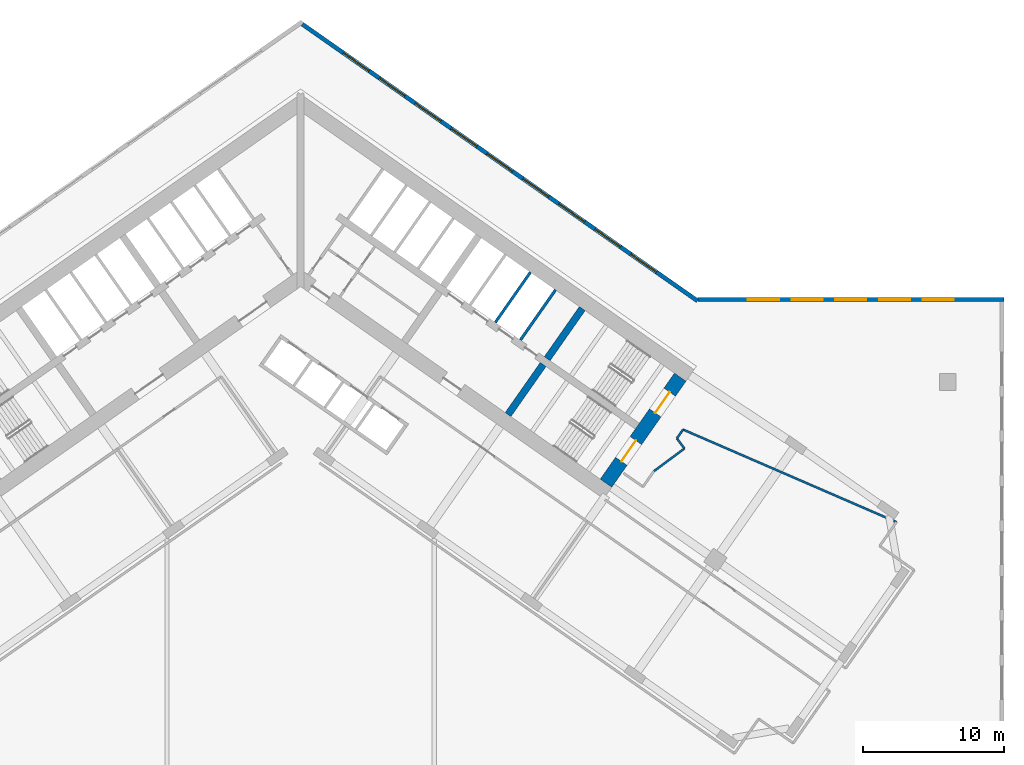
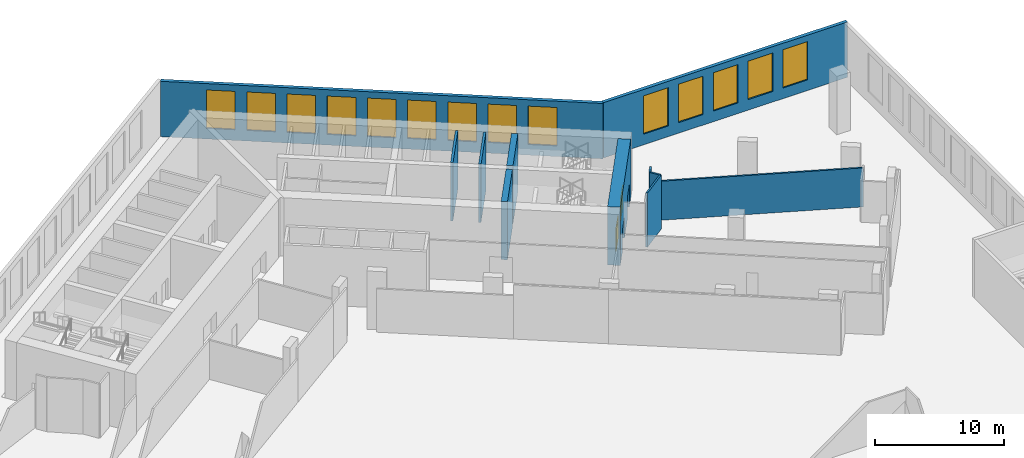
# One storey, part 12 of 26: 14 windows, 11 walls, 2 doors, 16 openings.
"""IFC4 building model written with IfcOpenShell, lengths in metres."""

from ifc_helpers import new_model, si_unit, direction, frame, frame_2d, origin, place, context, subcontext, project, spatial, polyline, rectangle, outline, extrude, material, layer, layer_set, type_object, element, fill, save


model = new_model("IFC4")

# Units and contexts
model_context = context("Model", 3, precision=1e-05, world=origin(), true_north=direction((0.0, 1.0)))
body_context = subcontext(model_context, "Body", "Model", "MODEL_VIEW")
ifc_project = project(units=[si_unit("LENGTHUNIT", "METRE"), si_unit("AREAUNIT", "SQUARE_METRE"), si_unit("VOLUMEUNIT", "CUBIC_METRE"), si_unit("PLANEANGLEUNIT", "RADIAN"), si_unit("MASSUNIT", "GRAM", prefix="KILO")], contexts=[model_context])

# Site, building, storey
site_placement = place(None, origin())
site = spatial("IfcSite", under=ifc_project, at=site_placement, CompositionType="ELEMENT")
building_placement = place(site_placement, origin())
building = spatial("IfcBuilding", under=site, at=building_placement, Name="Tel Ilan Convention Tower", CompositionType="ELEMENT")
storey_placement = place(building_placement, frame((0.0, 0.0, 32.0)))
storey = spatial("IfcBuildingStorey", under=building, at=storey_placement, Name="L04", CompositionType="ELEMENT", Elevation=32.0)

# Wall, openings, doors
ifc_material_1 = material(Name="Concrete C60/75", Category="concrete")
ifc_layer_1 = layer(ifc_material_1, 1.0)
ifc_layer_set_1 = layer_set([ifc_layer_1], Name="Core Shear Wall 1000 mm C60/75")
wall_type_1 = type_object("IfcWallType", Name="Core Shear Wall 1000 mm C60/75", PredefinedType="SHEAR", material=ifc_layer_set_1)
wall_1_placement = place(storey_placement, frame((21.70751953125, -15.19970703125, 0.0), z_axis=(0.0, 0.0, 1.0), x_axis=(0.573576324356, 0.819152122709, 0.0)))
wall_1 = element("IfcWall", 1, at=wall_1_placement, inside=storey, type_object=wall_type_1, Name="L04 core wall E-end", PredefinedType="SHEAR", context=body_context, shape_type="SweptSolid", body=[
    extrude(outline(polyline([(9.199951171875, 0.5), (0.0, 0.5), (0.0, -0.5), (9.199951171875, -0.5), (9.199951171875, 0.5)])), origin(), (0.0, 0.0, 1.0), 5.5),
])
opening_1_placement = place(wall_1_placement, frame((6.10009765625, 0.0, 0.0)))
opening_1 = element("IfcOpeningElement", 2, at=opening_1_placement, cuts=wall_1, Name="Opening SD0703", PredefinedType="OPENING", context=body_context, shape_type="SweptSolid", body=[
    extrude(rectangle(XDim=1.800048828125, YDim=2.10009765625, at=frame_2d((0.89990234375, 1.050048828125))), frame((0.0, 0.510009765625, 0.0), z_axis=(0.0, -1.0, 0.0), x_axis=(1.0, 0.0, 0.0)), (0.0, 0.0, 1.0), 1.02001953125),
])
opening_2_placement = place(wall_1_placement, frame((1.89990234375, 0.0, 0.0)))
opening_2 = element("IfcOpeningElement", 3, at=opening_2_placement, cuts=wall_1, Name="Opening SD0704", PredefinedType="OPENING", context=body_context, shape_type="SweptSolid", body=[
    extrude(rectangle(XDim=1.800048828125, YDim=2.10009765625, at=frame_2d((0.89990234375, 1.050048828125))), frame((0.0, 0.510009765625, 0.0), z_axis=(0.0, -1.0, 0.0), x_axis=(1.0, 0.0, 0.0)), (0.0, 0.0, 1.0), 1.02001953125),
])
ifc_material_2 = material(Name="Galvanised Steel Door Leaf", Category="steel")
door_type = type_object("IfcDoorType", Name="Stair Fire Door 1800 x 2100 FD60S", OperationType="NOTDEFINED", PredefinedType="DOOR", material=ifc_material_2)
door_1_placement = place(opening_1_placement, origin())
door_1 = element("IfcDoor", 4, at=door_1_placement, inside=storey, type_object=door_type, Name="Stair S3 door", OperationType="DOUBLE_DOOR_SINGLE_SWING", OverallHeight=2.10009765625, OverallWidth=1.800048828125, PredefinedType="DOOR", context=body_context, shape_type="SweptSolid", body=[
    extrude(rectangle(XDim=1.800048828125, YDim=2.10009765625, at=frame_2d((0.89990234375, 1.050048828125))), frame((0.0, 0.02490234375, 0.0), z_axis=(0.0, -1.0, 0.0), x_axis=(1.0, 0.0, 0.0)), (0.0, 0.0, 1.0), 0.050048828125),
])
fill(opening_1, door_1)
door_2_placement = place(opening_2_placement, origin())
door_2 = element("IfcDoor", 5, at=door_2_placement, inside=storey, type_object=door_type, Name="Stair S4 door", OperationType="DOUBLE_DOOR_SINGLE_SWING", OverallHeight=2.10009765625, OverallWidth=1.800048828125, PredefinedType="DOOR", context=body_context, shape_type="SweptSolid", body=[
    extrude(rectangle(XDim=1.800048828125, YDim=2.10009765625, at=frame_2d((0.89990234375, 1.050048828125))), frame((0.0, 0.02490234375, 0.0), z_axis=(0.0, -1.0, 0.0), x_axis=(1.0, 0.0, 0.0)), (0.0, 0.0, 1.0), 0.050048828125),
])
fill(opening_2, door_2)

# Walls
ifc_material_3 = material(Name="Concrete C60/75", Category="concrete")
ifc_layer_2 = layer(ifc_material_3, 0.5)
ifc_layer_set_2 = layer_set([ifc_layer_2], Name="Core Shear Wall 500 mm C60/75")
wall_type_2 = type_object("IfcWallType", Name="Core Shear Wall 500 mm C60/75", PredefinedType="SHEAR", material=ifc_layer_set_2)
wall_2_placement = place(storey_placement, frame((14.74462890625, -10.324462890625, 0.0), z_axis=(0.0, 0.0, 1.0), x_axis=(0.57356780395, 0.819158088694, 0.0)))
element("IfcWall", 6, at=wall_2_placement, inside=storey, type_object=wall_type_2, Name="L04 core wall E-cross2-1", PredefinedType="SHEAR", context=body_context, shape_type="SweptSolid", body=[
    extrude(outline(polyline([(0.0, 0.25), (0.0, -0.25), (4.35009765625, -0.250244140625), (4.35009765625, 0.25), (0.0, 0.25)])), origin(), (0.0, 0.0, 1.0), 5.5),
])
wall_3_placement = place(storey_placement, frame((17.526611328125, -6.3515625, 0.0), z_axis=(0.0, 0.0, 1.0), x_axis=(0.573530143085, 0.819184457233, 0.0)))
element("IfcWall", 7, at=wall_3_placement, inside=storey, type_object=wall_type_2, Name="L04 core wall E-cross2-2", PredefinedType="SHEAR", context=body_context, shape_type="SweptSolid", body=[
    extrude(outline(polyline([(4.35009765625, -0.250244140625), (4.35009765625, 0.249755859375), (0.0, 0.25), (0.0, -0.25), (4.35009765625, -0.250244140625)])), origin(), (0.0, 0.0, 1.0), 5.5),
])
ifc_material_4 = material(Name="Plasterboard on Steel Studs", Category="steel")
ifc_layer_3 = layer(ifc_material_4, 0.14990234375)
ifc_layer_set_3 = layer_set([ifc_layer_3], Name="Fire-rated Partition 150 EI 60")
wall_type_3 = type_object("IfcWallType", Name="Fire-rated Partition 150 EI 60", PredefinedType="PARTITIONING", material=ifc_layer_set_3)
wall_4_placement = place(storey_placement, frame((26.74609375, -12.013671875, 0.0), z_axis=(0.0, 0.0, 1.0), x_axis=(0.573761975376, 0.819022097146, 0.0)))
element("IfcWall", 8, at=wall_4_placement, inside=storey, type_object=wall_type_3, Name="Partition 011", PredefinedType="PARTITIONING", context=body_context, shape_type="SweptSolid", body=[
    extrude(rectangle(XDim=0.765380859375, YDim=0.14990234375, at=frame_2d((0.3828125, 0.0))), origin(), (0.0, 0.0, 1.0), 5.10009765625),
])
wall_5_placement = place(storey_placement, frame((27.185302734375, -11.38671875, 0.0), z_axis=(0.0, 0.0, 1.0), x_axis=(0.917531384635, -0.397663372979, 0.0)))
element("IfcWall", 9, at=wall_5_placement, inside=storey, type_object=wall_type_3, Name="Partition 012", PredefinedType="PARTITIONING", context=body_context, shape_type="SweptSolid", body=[
    extrude(rectangle(XDim=16.535888671875, YDim=0.14990234375, at=frame_2d((8.26806640625, 0.0))), origin(), (0.0, 0.0, 1.0), 3.679931640625),
])
wall_6_placement = place(storey_placement, frame((25.11376953125, -14.344970703125, 0.0), z_axis=(0.0, 0.0, 1.0), x_axis=(0.803211070557, 0.595694532571, 0.0)))
element("IfcWall", 10, at=wall_6_placement, inside=storey, type_object=wall_type_3, Name="Partition 015", PredefinedType="PARTITIONING", context=body_context, shape_type="SweptSolid", body=[
    extrude(rectangle(XDim=2.699951171875, YDim=0.14990234375, at=frame_2d((1.35009765625, 0.0))), origin(), (0.0, 0.0, 1.0), 5.10009765625),
])
wall_7_placement = place(storey_placement, frame((27.282470703125, -12.736572265625, 0.0), z_axis=(0.0, 0.0, 1.0), x_axis=(-0.595869495235, 0.803081281471, 0.0)))
element("IfcWall", 11, at=wall_7_placement, inside=storey, type_object=wall_type_3, Name="Partition 016", PredefinedType="PARTITIONING", context=body_context, shape_type="SweptSolid", body=[
    extrude(rectangle(XDim=0.900146484375, YDim=0.14990234375, at=frame_2d((0.4501953125, 0.0))), origin(), (0.0, 0.0, 1.0), 5.10009765625),
])
ifc_material_5 = material(Name="Concrete C30/37", Category="concrete")
ifc_layer_4 = layer(ifc_material_5, 0.199951171875)
ifc_layer_set_4 = layer_set([ifc_layer_4], Name="Lift Shaft Wall 200 mm C30/37")
wall_type_4 = type_object("IfcWallType", Name="Lift Shaft Wall 200 mm C30/37", PredefinedType="SOLIDWALL", material=ifc_layer_set_4)
wall_8_placement = place(storey_placement, frame((13.84033203125, -3.7705078125, 0.0), z_axis=(0.0, 0.0, 1.0), x_axis=(0.57356780395, 0.819158088694, 0.0)))
element("IfcWall", 12, at=wall_8_placement, inside=storey, type_object=wall_type_4, Name="L04 core wall bank-E2-p1", PredefinedType="SOLIDWALL", context=body_context, shape_type="SweptSolid", body=[
    extrude(rectangle(XDim=4.35009765625, YDim=0.199951171875, at=frame_2d((2.175048828125, 0.0))), origin(), (0.0, 0.0, 1.0), 5.5),
])
wall_9_placement = place(storey_placement, frame((15.6220703125, -5.017822265625, 0.0), z_axis=(0.0, 0.0, 1.0), x_axis=(0.573594173421, 0.819139624372, 0.0)))
element("IfcWall", 13, at=wall_9_placement, inside=storey, type_object=wall_type_4, Name="L04 core wall bank-E2-p2", PredefinedType="SOLIDWALL", context=body_context, shape_type="SweptSolid", body=[
    extrude(rectangle(XDim=4.349853515625, YDim=0.199951171875, at=frame_2d((2.1748046875, 0.0))), origin(), (0.0, 0.0, 1.0), 5.5),
])

# Wall, openings, windows
ifc_material_6 = material(Name="Bronze aluminium cladding panel on insulated steel frame", Category="steel")
ifc_layer_5 = layer(ifc_material_6, 0.300048828125)
ifc_layer_set_5 = layer_set([ifc_layer_5], Name="PODIUM CLADDING WALL 300")
wall_type_5 = type_object("IfcWallType", Name="PODIUM CLADDING WALL 300", PredefinedType="SOLIDWALL", material=ifc_layer_set_5)
wall_10_placement = place(storey_placement, frame((0.122802734375, 17.43212890625, 0.0), z_axis=(0.0, 0.0, 1.0), x_axis=(0.819151970339, -0.573576541963, 0.0)))
wall_10 = element("IfcWall", 14, at=wall_10_placement, inside=storey, type_object=wall_type_5, Name="Podium cladding wall", PredefinedType="SOLIDWALL", context=body_context, shape_type="SweptSolid", body=[
    extrude(rectangle(XDim=34.29052734375, YDim=0.300048828125, at=frame_2d((17.145263671875, 0.0))), origin(), (0.0, 0.0, 1.0), 5.219970703125),
])
opening_3_placement = place(wall_10_placement, frame((3.5673828125, 0.0, 1.0)))
opening_3 = element("IfcOpeningElement", 15, at=opening_3_placement, cuts=wall_10, Name="Opening W-07.040", PredefinedType="OPENING", context=body_context, shape_type="SweptSolid", body=[
    extrude(rectangle(XDim=2.21728515625, YDim=3.6201171875, at=frame_2d((1.108642578125, 1.81005859375))), frame((0.0, 0.159912109375, 0.0), z_axis=(0.0, -1.0, 0.0), x_axis=(1.0, 0.0, 0.0)), (0.0, 0.0, 1.0), 0.320068359375),
])
opening_4_placement = place(wall_10_placement, frame((6.6845703125, 0.0, 1.0)))
opening_4 = element("IfcOpeningElement", 16, at=opening_4_placement, cuts=wall_10, Name="Opening W-07.041", PredefinedType="OPENING", context=body_context, shape_type="SweptSolid", body=[
    extrude(rectangle(XDim=2.21728515625, YDim=3.6201171875, at=frame_2d((1.108642578125, 1.81005859375))), frame((0.0, 0.159912109375, 0.0), z_axis=(0.0, -1.0, 0.0), x_axis=(1.0, 0.0, 0.0)), (0.0, 0.0, 1.0), 0.320068359375),
])
opening_5_placement = place(wall_10_placement, frame((9.802001953125, 0.0, 1.0)))
opening_5 = element("IfcOpeningElement", 17, at=opening_5_placement, cuts=wall_10, Name="Opening W-07.042", PredefinedType="OPENING", context=body_context, shape_type="SweptSolid", body=[
    extrude(rectangle(XDim=2.21728515625, YDim=3.6201171875, at=frame_2d((1.108642578125, 1.81005859375))), frame((0.0, 0.159912109375, 0.0), z_axis=(0.0, -1.0, 0.0), x_axis=(1.0, 0.0, 0.0)), (0.0, 0.0, 1.0), 0.320068359375),
])
opening_6_placement = place(wall_10_placement, frame((12.919189453125, 0.0, 1.0)))
opening_6 = element("IfcOpeningElement", 18, at=opening_6_placement, cuts=wall_10, Name="Opening W-07.043", PredefinedType="OPENING", context=body_context, shape_type="SweptSolid", body=[
    extrude(rectangle(XDim=2.21728515625, YDim=3.6201171875, at=frame_2d((1.108642578125, 1.81005859375))), frame((0.0, 0.159912109375, 0.0), z_axis=(0.0, -1.0, 0.0), x_axis=(1.0, 0.0, 0.0)), (0.0, 0.0, 1.0), 0.320068359375),
])
opening_7_placement = place(wall_10_placement, frame((16.03662109375, 0.0, 1.0)))
opening_7 = element("IfcOpeningElement", 19, at=opening_7_placement, cuts=wall_10, Name="Opening W-07.044", PredefinedType="OPENING", context=body_context, shape_type="SweptSolid", body=[
    extrude(rectangle(XDim=2.21728515625, YDim=3.6201171875, at=frame_2d((1.108642578125, 1.81005859375))), frame((0.0, 0.159912109375, 0.0), z_axis=(0.0, -1.0, 0.0), x_axis=(1.0, 0.0, 0.0)), (0.0, 0.0, 1.0), 0.320068359375),
])
opening_8_placement = place(wall_10_placement, frame((19.15380859375, 0.0, 1.0)))
opening_8 = element("IfcOpeningElement", 20, at=opening_8_placement, cuts=wall_10, Name="Opening W-07.045", PredefinedType="OPENING", context=body_context, shape_type="SweptSolid", body=[
    extrude(rectangle(XDim=2.21728515625, YDim=3.6201171875, at=frame_2d((1.108642578125, 1.81005859375))), frame((0.0, 0.159912109375, 0.0), z_axis=(0.0, -1.0, 0.0), x_axis=(1.0, 0.0, 0.0)), (0.0, 0.0, 1.0), 0.320068359375),
])
opening_9_placement = place(wall_10_placement, frame((22.27099609375, 0.0, 1.0)))
opening_9 = element("IfcOpeningElement", 21, at=opening_9_placement, cuts=wall_10, Name="Opening W-07.046", PredefinedType="OPENING", context=body_context, shape_type="SweptSolid", body=[
    extrude(rectangle(XDim=2.21728515625, YDim=3.6201171875, at=frame_2d((1.108642578125, 1.81005859375))), frame((0.0, 0.159912109375, 0.0), z_axis=(0.0, -1.0, 0.0), x_axis=(1.0, 0.0, 0.0)), (0.0, 0.0, 1.0), 0.320068359375),
])
opening_10_placement = place(wall_10_placement, frame((25.388427734375, 0.0, 1.0)))
opening_10 = element("IfcOpeningElement", 22, at=opening_10_placement, cuts=wall_10, Name="Opening W-07.047", PredefinedType="OPENING", context=body_context, shape_type="SweptSolid", body=[
    extrude(rectangle(XDim=2.21728515625, YDim=3.6201171875, at=frame_2d((1.108642578125, 1.81005859375))), frame((0.0, 0.159912109375, 0.0), z_axis=(0.0, -1.0, 0.0), x_axis=(1.0, 0.0, 0.0)), (0.0, 0.0, 1.0), 0.320068359375),
])
opening_11_placement = place(wall_10_placement, frame((28.505615234375, 0.0, 1.0)))
opening_11 = element("IfcOpeningElement", 23, at=opening_11_placement, cuts=wall_10, Name="Opening W-07.048", PredefinedType="OPENING", context=body_context, shape_type="SweptSolid", body=[
    extrude(rectangle(XDim=2.21728515625, YDim=3.6201171875, at=frame_2d((1.108642578125, 1.81005859375))), frame((0.0, 0.159912109375, 0.0), z_axis=(0.0, -1.0, 0.0), x_axis=(1.0, 0.0, 0.0)), (0.0, 0.0, 1.0), 0.320068359375),
])
ifc_material_7 = material(Name="Aluminium framed glazing, bronze anodised, tinted glass", Category="aluminium")
window_type_1 = type_object("IfcWindowType", Name="PODIUM WINDOW 2217x3620", PartitioningType="SINGLE_PANEL", PredefinedType="WINDOW", material=ifc_material_7)
window_1_placement = place(opening_3_placement, origin())
window_1 = element("IfcWindow", 24, at=window_1_placement, inside=storey, type_object=window_type_1, Name="Podium window", OverallHeight=3.6201171875, OverallWidth=2.21728515625, PartitioningType="SINGLE_PANEL", PredefinedType="WINDOW", context=body_context, shape_type="SweptSolid", body=[
    extrude(rectangle(XDim=2.21728515625, YDim=3.6201171875, at=frame_2d((1.108642578125, 1.81005859375))), frame((0.0, 0.030029296875, 0.0), z_axis=(0.0, -1.0, 0.0), x_axis=(1.0, 0.0, 0.0)), (0.0, 0.0, 1.0), 0.06005859375),
])
fill(opening_3, window_1)
window_2_placement = place(opening_4_placement, origin())
window_2 = element("IfcWindow", 25, at=window_2_placement, inside=storey, type_object=window_type_1, Name="Podium window", OverallHeight=3.6201171875, OverallWidth=2.21728515625, PartitioningType="SINGLE_PANEL", PredefinedType="WINDOW", context=body_context, shape_type="SweptSolid", body=[
    extrude(rectangle(XDim=2.21728515625, YDim=3.6201171875, at=frame_2d((1.108642578125, 1.81005859375))), frame((0.0, 0.030029296875, 0.0), z_axis=(0.0, -1.0, 0.0), x_axis=(1.0, 0.0, 0.0)), (0.0, 0.0, 1.0), 0.06005859375),
])
fill(opening_4, window_2)
window_3_placement = place(opening_5_placement, origin())
window_3 = element("IfcWindow", 26, at=window_3_placement, inside=storey, type_object=window_type_1, Name="Podium window", OverallHeight=3.6201171875, OverallWidth=2.21728515625, PartitioningType="SINGLE_PANEL", PredefinedType="WINDOW", context=body_context, shape_type="SweptSolid", body=[
    extrude(rectangle(XDim=2.21728515625, YDim=3.6201171875, at=frame_2d((1.108642578125, 1.81005859375))), frame((0.0, 0.030029296875, 0.0), z_axis=(0.0, -1.0, 0.0), x_axis=(1.0, 0.0, 0.0)), (0.0, 0.0, 1.0), 0.06005859375),
])
fill(opening_5, window_3)
window_4_placement = place(opening_6_placement, origin())
window_4 = element("IfcWindow", 27, at=window_4_placement, inside=storey, type_object=window_type_1, Name="Podium window", OverallHeight=3.6201171875, OverallWidth=2.21728515625, PartitioningType="SINGLE_PANEL", PredefinedType="WINDOW", context=body_context, shape_type="SweptSolid", body=[
    extrude(rectangle(XDim=2.21728515625, YDim=3.6201171875, at=frame_2d((1.108642578125, 1.81005859375))), frame((0.0, 0.030029296875, 0.0), z_axis=(0.0, -1.0, 0.0), x_axis=(1.0, 0.0, 0.0)), (0.0, 0.0, 1.0), 0.06005859375),
])
fill(opening_6, window_4)
window_5_placement = place(opening_7_placement, origin())
window_5 = element("IfcWindow", 28, at=window_5_placement, inside=storey, type_object=window_type_1, Name="Podium window", OverallHeight=3.6201171875, OverallWidth=2.21728515625, PartitioningType="SINGLE_PANEL", PredefinedType="WINDOW", context=body_context, shape_type="SweptSolid", body=[
    extrude(rectangle(XDim=2.21728515625, YDim=3.6201171875, at=frame_2d((1.108642578125, 1.81005859375))), frame((0.0, 0.030029296875, 0.0), z_axis=(0.0, -1.0, 0.0), x_axis=(1.0, 0.0, 0.0)), (0.0, 0.0, 1.0), 0.06005859375),
])
fill(opening_7, window_5)
window_6_placement = place(opening_8_placement, origin())
window_6 = element("IfcWindow", 29, at=window_6_placement, inside=storey, type_object=window_type_1, Name="Podium window", OverallHeight=3.6201171875, OverallWidth=2.21728515625, PartitioningType="SINGLE_PANEL", PredefinedType="WINDOW", context=body_context, shape_type="SweptSolid", body=[
    extrude(rectangle(XDim=2.21728515625, YDim=3.6201171875, at=frame_2d((1.108642578125, 1.81005859375))), frame((0.0, 0.030029296875, 0.0), z_axis=(0.0, -1.0, 0.0), x_axis=(1.0, 0.0, 0.0)), (0.0, 0.0, 1.0), 0.06005859375),
])
fill(opening_8, window_6)
window_7_placement = place(opening_9_placement, origin())
window_7 = element("IfcWindow", 30, at=window_7_placement, inside=storey, type_object=window_type_1, Name="Podium window", OverallHeight=3.6201171875, OverallWidth=2.21728515625, PartitioningType="SINGLE_PANEL", PredefinedType="WINDOW", context=body_context, shape_type="SweptSolid", body=[
    extrude(rectangle(XDim=2.21728515625, YDim=3.6201171875, at=frame_2d((1.108642578125, 1.81005859375))), frame((0.0, 0.030029296875, 0.0), z_axis=(0.0, -1.0, 0.0), x_axis=(1.0, 0.0, 0.0)), (0.0, 0.0, 1.0), 0.06005859375),
])
fill(opening_9, window_7)
window_8_placement = place(opening_10_placement, origin())
window_8 = element("IfcWindow", 31, at=window_8_placement, inside=storey, type_object=window_type_1, Name="Podium window", OverallHeight=3.6201171875, OverallWidth=2.21728515625, PartitioningType="SINGLE_PANEL", PredefinedType="WINDOW", context=body_context, shape_type="SweptSolid", body=[
    extrude(rectangle(XDim=2.21728515625, YDim=3.6201171875, at=frame_2d((1.108642578125, 1.81005859375))), frame((0.0, 0.030029296875, 0.0), z_axis=(0.0, -1.0, 0.0), x_axis=(1.0, 0.0, 0.0)), (0.0, 0.0, 1.0), 0.06005859375),
])
fill(opening_10, window_8)
window_9_placement = place(opening_11_placement, origin())
window_9 = element("IfcWindow", 32, at=window_9_placement, inside=storey, type_object=window_type_1, Name="Podium window", OverallHeight=3.6201171875, OverallWidth=2.21728515625, PartitioningType="SINGLE_PANEL", PredefinedType="WINDOW", context=body_context, shape_type="SweptSolid", body=[
    extrude(rectangle(XDim=2.21728515625, YDim=3.6201171875, at=frame_2d((1.108642578125, 1.81005859375))), frame((0.0, 0.030029296875, 0.0), z_axis=(0.0, -1.0, 0.0), x_axis=(1.0, 0.0, 0.0)), (0.0, 0.0, 1.0), 0.06005859375),
])
fill(opening_11, window_9)

wall_11_placement = place(storey_placement, frame((28.239013671875, -2.14990234375, 0.0), z_axis=(0.0, 0.0, 1.0), x_axis=(1.0, 0.0, 0.0)))
wall_11 = element("IfcWall", 33, at=wall_11_placement, inside=storey, type_object=wall_type_5, Name="Podium cladding wall", PredefinedType="SOLIDWALL", context=body_context, shape_type="SweptSolid", body=[
    extrude(rectangle(XDim=21.760986328125, YDim=0.300048828125, at=frame_2d((10.88037109375, 0.0))), origin(), (0.0, 0.0, 1.0), 5.219970703125),
])
opening_12_placement = place(wall_11_placement, frame((3.558837890625, 0.0, 1.0)))
opening_12 = element("IfcOpeningElement", 34, at=opening_12_placement, cuts=wall_11, Name="Opening W-07.049", PredefinedType="OPENING", context=body_context, shape_type="SweptSolid", body=[
    extrude(rectangle(XDim=2.208740234375, YDim=3.6201171875, at=frame_2d((1.1044921875, 1.81005859375))), frame((0.0, 0.159912109375, 0.0), z_axis=(0.0, -1.0, 0.0), x_axis=(1.0, 0.0, 0.0)), (0.0, 0.0, 1.0), 0.320068359375),
])
opening_13_placement = place(wall_11_placement, frame((6.66748046875, 0.0, 1.0)))
opening_13 = element("IfcOpeningElement", 35, at=opening_13_placement, cuts=wall_11, Name="Opening W-07.050", PredefinedType="OPENING", context=body_context, shape_type="SweptSolid", body=[
    extrude(rectangle(XDim=2.208740234375, YDim=3.6201171875, at=frame_2d((1.1044921875, 1.81005859375))), frame((0.0, 0.159912109375, 0.0), z_axis=(0.0, -1.0, 0.0), x_axis=(1.0, 0.0, 0.0)), (0.0, 0.0, 1.0), 0.320068359375),
])
opening_14_placement = place(wall_11_placement, frame((9.776123046875, 0.0, 1.0)))
opening_14 = element("IfcOpeningElement", 36, at=opening_14_placement, cuts=wall_11, Name="Opening W-07.051", PredefinedType="OPENING", context=body_context, shape_type="SweptSolid", body=[
    extrude(rectangle(XDim=2.208740234375, YDim=3.6201171875, at=frame_2d((1.1044921875, 1.81005859375))), frame((0.0, 0.159912109375, 0.0), z_axis=(0.0, -1.0, 0.0), x_axis=(1.0, 0.0, 0.0)), (0.0, 0.0, 1.0), 0.320068359375),
])
opening_15_placement = place(wall_11_placement, frame((12.884765625, 0.0, 1.0)))
opening_15 = element("IfcOpeningElement", 37, at=opening_15_placement, cuts=wall_11, Name="Opening W-07.052", PredefinedType="OPENING", context=body_context, shape_type="SweptSolid", body=[
    extrude(rectangle(XDim=2.208740234375, YDim=3.6201171875, at=frame_2d((1.1044921875, 1.81005859375))), frame((0.0, 0.159912109375, 0.0), z_axis=(0.0, -1.0, 0.0), x_axis=(1.0, 0.0, 0.0)), (0.0, 0.0, 1.0), 0.320068359375),
])
opening_16_placement = place(wall_11_placement, frame((15.99365234375, 0.0, 1.0)))
opening_16 = element("IfcOpeningElement", 38, at=opening_16_placement, cuts=wall_11, Name="Opening W-07.053", PredefinedType="OPENING", context=body_context, shape_type="SweptSolid", body=[
    extrude(rectangle(XDim=2.208740234375, YDim=3.6201171875, at=frame_2d((1.1044921875, 1.81005859375))), frame((0.0, 0.159912109375, 0.0), z_axis=(0.0, -1.0, 0.0), x_axis=(1.0, 0.0, 0.0)), (0.0, 0.0, 1.0), 0.320068359375),
])
ifc_material_8 = material(Name="Aluminium framed glazing, bronze anodised, tinted glass", Category="aluminium")
window_type_2 = type_object("IfcWindowType", Name="PODIUM WINDOW 2209x3620", PartitioningType="SINGLE_PANEL", PredefinedType="WINDOW", material=ifc_material_8)
window_10_placement = place(opening_12_placement, origin())
window_10 = element("IfcWindow", 39, at=window_10_placement, inside=storey, type_object=window_type_2, Name="Podium window", OverallHeight=3.6201171875, OverallWidth=2.208740234375, PartitioningType="SINGLE_PANEL", PredefinedType="WINDOW", context=body_context, shape_type="SweptSolid", body=[
    extrude(rectangle(XDim=2.208740234375, YDim=3.6201171875, at=frame_2d((1.1044921875, 1.81005859375))), frame((0.0, 0.030029296875, 0.0), z_axis=(0.0, -1.0, 0.0), x_axis=(1.0, 0.0, 0.0)), (0.0, 0.0, 1.0), 0.06005859375),
])
fill(opening_12, window_10)
window_11_placement = place(opening_13_placement, origin())
window_11 = element("IfcWindow", 40, at=window_11_placement, inside=storey, type_object=window_type_2, Name="Podium window", OverallHeight=3.6201171875, OverallWidth=2.208740234375, PartitioningType="SINGLE_PANEL", PredefinedType="WINDOW", context=body_context, shape_type="SweptSolid", body=[
    extrude(rectangle(XDim=2.208740234375, YDim=3.6201171875, at=frame_2d((1.1044921875, 1.81005859375))), frame((0.0, 0.030029296875, 0.0), z_axis=(0.0, -1.0, 0.0), x_axis=(1.0, 0.0, 0.0)), (0.0, 0.0, 1.0), 0.06005859375),
])
fill(opening_13, window_11)
window_12_placement = place(opening_14_placement, origin())
window_12 = element("IfcWindow", 41, at=window_12_placement, inside=storey, type_object=window_type_2, Name="Podium window", OverallHeight=3.6201171875, OverallWidth=2.208740234375, PartitioningType="SINGLE_PANEL", PredefinedType="WINDOW", context=body_context, shape_type="SweptSolid", body=[
    extrude(rectangle(XDim=2.208740234375, YDim=3.6201171875, at=frame_2d((1.1044921875, 1.81005859375))), frame((0.0, 0.030029296875, 0.0), z_axis=(0.0, -1.0, 0.0), x_axis=(1.0, 0.0, 0.0)), (0.0, 0.0, 1.0), 0.06005859375),
])
fill(opening_14, window_12)
window_13_placement = place(opening_15_placement, origin())
window_13 = element("IfcWindow", 42, at=window_13_placement, inside=storey, type_object=window_type_2, Name="Podium window", OverallHeight=3.6201171875, OverallWidth=2.208740234375, PartitioningType="SINGLE_PANEL", PredefinedType="WINDOW", context=body_context, shape_type="SweptSolid", body=[
    extrude(rectangle(XDim=2.208740234375, YDim=3.6201171875, at=frame_2d((1.1044921875, 1.81005859375))), frame((0.0, 0.030029296875, 0.0), z_axis=(0.0, -1.0, 0.0), x_axis=(1.0, 0.0, 0.0)), (0.0, 0.0, 1.0), 0.06005859375),
])
fill(opening_15, window_13)
window_14_placement = place(opening_16_placement, origin())
window_14 = element("IfcWindow", 43, at=window_14_placement, inside=storey, type_object=window_type_2, Name="Podium window", OverallHeight=3.6201171875, OverallWidth=2.208740234375, PartitioningType="SINGLE_PANEL", PredefinedType="WINDOW", context=body_context, shape_type="SweptSolid", body=[
    extrude(rectangle(XDim=2.208740234375, YDim=3.6201171875, at=frame_2d((1.1044921875, 1.81005859375))), frame((0.0, 0.030029296875, 0.0), z_axis=(0.0, -1.0, 0.0), x_axis=(1.0, 0.0, 0.0)), (0.0, 0.0, 1.0), 0.06005859375),
])
fill(opening_16, window_14)

save(model, "model.ifc")
